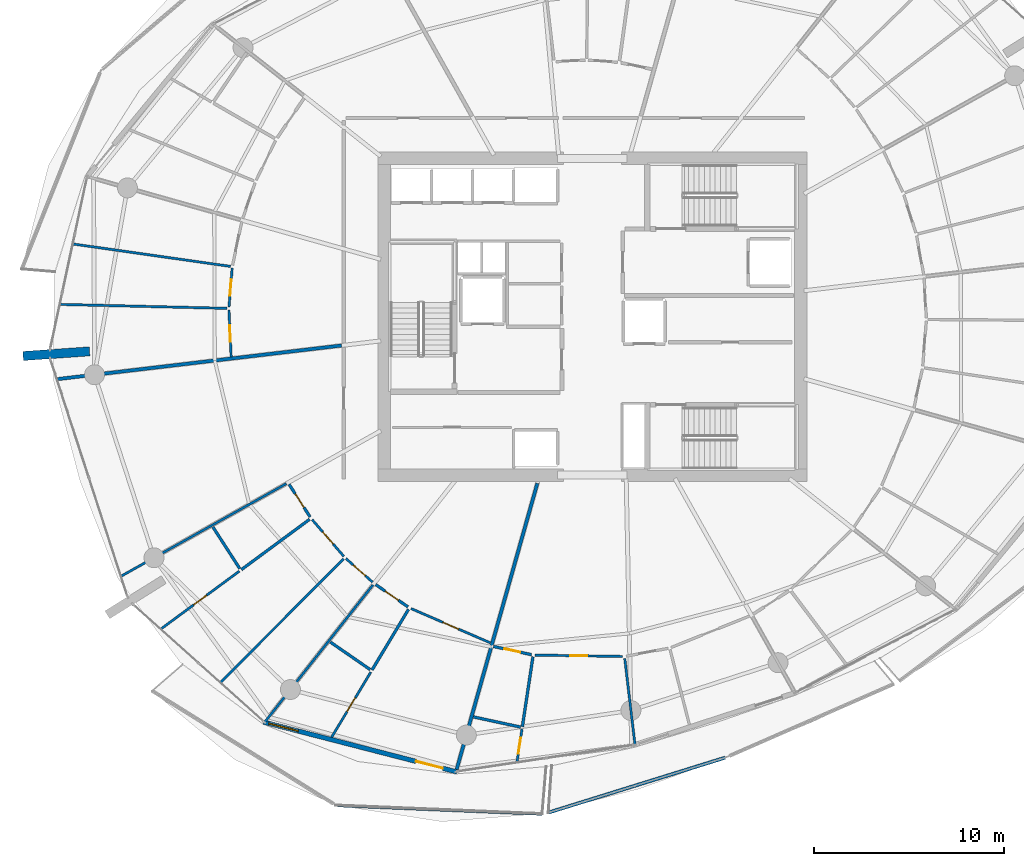
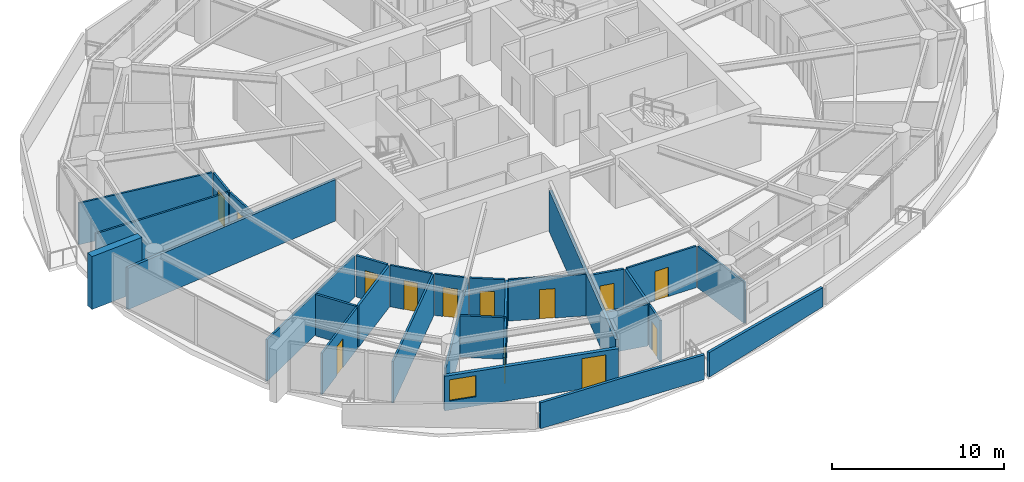
# One storey, part 11 of 21: 30 walls, 13 doors, 1 window, 14 openings.
"""IFC4 building model written with IfcOpenShell, lengths in metres."""

from ifc_helpers import new_model, si_unit, direction, frame, frame_2d, origin, place, context, subcontext, project, spatial, polyline, rectangle, outline, extrude, material, layer, layer_set, type_object, element, fill, save


model = new_model("IFC4")

# Units and contexts
model_context = context("Model", 3, precision=1e-05, world=origin(), true_north=direction((0.0, 1.0)))
body_context = subcontext(model_context, "Body", "Model", "MODEL_VIEW")
ifc_project = project(units=[si_unit("LENGTHUNIT", "METRE"), si_unit("AREAUNIT", "SQUARE_METRE"), si_unit("VOLUMEUNIT", "CUBIC_METRE"), si_unit("PLANEANGLEUNIT", "RADIAN"), si_unit("MASSUNIT", "GRAM", prefix="KILO")], contexts=[model_context])

# Site, building, storey
site_placement = place(None, origin())
site = spatial("IfcSite", under=ifc_project, at=site_placement, CompositionType="ELEMENT")
building_placement = place(site_placement, origin())
building = spatial("IfcBuilding", under=site, at=building_placement, Name="Kazma Halo Residences", CompositionType="ELEMENT")
storey_placement = place(building_placement, frame((0.0, 0.0, 176.550048828125)))
storey = spatial("IfcBuildingStorey", under=building, at=storey_placement, Name="L44", CompositionType="ELEMENT", Elevation=176.550048828125)

# Walls
ifc_material_1 = material(Name="White Concrete C50/60 Balustrade", Category="concrete")
ifc_layer_1 = layer(ifc_material_1, 0.179931640625)
ifc_layer_set_1 = layer_set([ifc_layer_1], Name="White Concrete C50/60 Balustrade")
wall_type_1 = type_object("IfcWallType", Name="WL-BAL-WAVE-180", PredefinedType="PARAPET", material=ifc_layer_set_1)
wall_1_placement = place(storey_placement, frame((35.03564453125, 16.315673828125, 0.0), z_axis=(0.0, 0.0, 1.0), x_axis=(0.999138885182, -0.041490819675, 0.0)))
element("IfcWall", 1, at=wall_1_placement, inside=storey, type_object=wall_type_1, Name="L44 white wave balustrade wall SW.2", PredefinedType="PARAPET", context=body_context, shape_type="SweptSolid", body=[
    extrude(outline(polyline([(0.0, 0.0), (10.75634765625, 0.0), (10.756591796875, 1.755859375), (5.37841796875, 1.85302734375), (0.0, 1.83203125), (0.0, 0.0)])), frame((0.0, 0.08984375, 0.0), z_axis=(0.0, -1.0, 0.0), x_axis=(1.0, 0.0, 0.0)), (0.0, 0.0, 1.0), 0.179931640625),
])
wall_2_placement = place(storey_placement, frame((46.1083984375, 15.928955078125, 0.0), z_axis=(0.0, 0.0, 1.0), x_axis=(0.954909554677, 0.296896854793, 0.0)))
element("IfcWall", 2, at=wall_2_placement, inside=storey, type_object=wall_type_1, Name="L44 white wave balustrade wall SSE.1", PredefinedType="PARAPET", context=body_context, shape_type="SweptSolid", body=[
    extrude(outline(polyline([(0.0, 0.0), (9.736083984375, 0.0), (9.736328125, 1.347900390625), (4.8681640625, 1.56201171875), (0.0, 1.7470703125), (0.0, 0.0)])), frame((0.0, 0.08984375, 0.0), z_axis=(0.0, -1.0, 0.0), x_axis=(1.0, 0.0, 0.0)), (0.0, 0.0, 1.0), 0.179931640625),
])
ifc_material_2 = material(Name="Pale Concrete C60/75", Category="concrete")
ifc_layer_2 = layer(ifc_material_2, 0.47998046875)
ifc_layer_set_2 = layer_set([ifc_layer_2], Name="Pale Concrete C60/75")
wall_type_2 = type_object("IfcWallType", Name="WL-BLADE-480", PredefinedType="SOLIDWALL", material=ifc_layer_set_2)
wall_3_placement = place(storey_placement, frame((21.9873046875, 40.180908203125, 0.0), z_axis=(0.0, 0.0, 1.0), x_axis=(-0.997568676264, -0.069690287244, 0.0)))
element("IfcWall", 3, at=wall_3_placement, inside=storey, type_object=wall_type_2, Name="L44 pale concrete structural blade fin wall BW-02", PredefinedType="SOLIDWALL", context=body_context, shape_type="SweptSolid", body=[
    extrude(rectangle(XDim=3.499755859375, YDim=0.47998046875, at=frame_2d((1.75, 0.0))), origin(), (0.0, 0.0, 1.0), 3.75),
])
ifc_material_3 = material(Name="Acoustic Twin-Stud Gypsum")
ifc_layer_3 = layer(ifc_material_3, 0.179931640625)
ifc_layer_set_3 = layer_set([ifc_layer_3], Name="Acoustic Twin-Stud Gypsum")
wall_type_3 = type_object("IfcWallType", Name="WL-DEM-180", PredefinedType="PARTITIONING", material=ifc_layer_set_3)
wall_4_placement = place(storey_placement, frame((35.24072265625, 40.489990234375, 0.0), z_axis=(0.0, 0.0, 1.0), x_axis=(-0.993066731786, -0.117551972417, 0.0)))
element("IfcWall", 4, at=wall_4_placement, inside=storey, type_object=wall_type_3, Name="L44 apartment demising radial wall 07", PredefinedType="PARTITIONING", context=body_context, shape_type="SweptSolid", body=[
    extrude(rectangle(XDim=15.046875, YDim=0.179931640625, at=frame_2d((7.5234375, 0.0))), origin(), (0.0, 0.0, 1.0), 2.93994140625),
])
wall_5_placement = place(storey_placement, frame((45.530517578125, 33.244140625, 0.0), z_axis=(0.0, 0.0, 1.0), x_axis=(-0.271437162306, -0.962456163635, 0.0)))
element("IfcWall", 5, at=wall_5_placement, inside=storey, type_object=wall_type_3, Name="L44 apartment demising radial wall 10", PredefinedType="PARTITIONING", context=body_context, shape_type="SweptSolid", body=[
    extrude(rectangle(XDim=15.629638671875, YDim=0.179931640625, at=frame_2d((7.81494140625, 0.0))), origin(), (0.0, 0.0, 1.0), 2.93994140625),
])

# Wall, openings, door, window
ifc_material_4 = material(Name="Insulated Pale-Metal Composite Wall")
ifc_layer_4 = layer(ifc_material_4, 0.239990234375)
ifc_layer_set_4 = layer_set([ifc_layer_4], Name="Insulated Pale-Metal Composite Wall")
wall_type_4 = type_object("IfcWallType", Name="WL-EXT-HOST-240", PredefinedType="SOLIDWALL", material=ifc_layer_set_4)
wall_6_placement = place(storey_placement, frame((31.139892578125, 20.68701171875, 0.0), z_axis=(0.0, 0.0, 1.0), x_axis=(0.968374028006, -0.249502989727, 0.0)))
wall_6 = element("IfcWall", 6, at=wall_6_placement, inside=storey, type_object=wall_type_4, Name="L44 exterior terrace-access wall B10", PredefinedType="SOLIDWALL", context=body_context, shape_type="SweptSolid", body=[
    extrude(rectangle(XDim=10.494384765625, YDim=0.239990234375, at=frame_2d((5.2470703125, 0.0))), origin(), (0.0, 0.0, 1.0), 2.449951171875),
])
opening_1_placement = place(wall_6_placement, frame((8.2744140625, 0.0, 0.0)))
opening_1 = element("IfcOpeningElement", 7, at=opening_1_placement, cuts=wall_6, Name="Opening DTR-1600", PredefinedType="OPENING", context=body_context, shape_type="SweptSolid", body=[
    extrude(rectangle(XDim=1.449951171875, YDim=2.14990234375, at=frame_2d((0.72509765625, 1.074951171875))), frame((0.0, 0.1298828125, 0.0), z_axis=(0.0, -1.0, 0.0), x_axis=(1.0, 0.0, 0.0)), (0.0, 0.0, 1.0), 0.260009765625),
])
opening_2_placement = place(wall_6_placement, frame((0.280029296875, 0.0, 0.64990234375)))
opening_2 = element("IfcOpeningElement", 8, at=opening_2_placement, cuts=wall_6, Name="Opening W-1800", PredefinedType="OPENING", context=body_context, shape_type="SweptSolid", body=[
    extrude(rectangle(XDim=1.60009765625, YDim=1.5, at=frame_2d((0.800048828125, 0.75))), frame((0.0, 0.1298828125, 0.0), z_axis=(0.0, -1.0, 0.0), x_axis=(1.0, 0.0, 0.0)), (0.0, 0.0, 1.0), 0.260009765625),
])
ifc_material_5 = material(Name="Aluminium AW-6063 T6 Double-Glazed Terrace Door", Category="aluminium")
door_type_1 = type_object("IfcDoorType", Name="DR-EXT-TERR-1600", OperationType="NOTDEFINED", PredefinedType="DOOR", material=ifc_material_5)
door_1_placement = place(opening_1_placement, origin())
door_1 = element("IfcDoor", 9, at=door_1_placement, inside=storey, type_object=door_type_1, Name="L44 B10 balcony terrace door", OperationType="DOUBLE_DOOR_SLIDING", OverallHeight=2.14990234375, OverallWidth=1.449951171875, PredefinedType="DOOR", context=body_context, shape_type="SweptSolid", body=[
    extrude(rectangle(XDim=1.449951171875, YDim=2.14990234375, at=frame_2d((0.72509765625, 1.074951171875))), frame((0.0, 0.02490234375, 0.0), z_axis=(0.0, -1.0, 0.0), x_axis=(1.0, 0.0, 0.0)), (0.0, 0.0, 1.0), 0.050048828125),
])
fill(opening_1, door_1)
ifc_material_6 = material(Name="Clear Triple-Silver Low-E Glass in Aluminium AW-6063 T6 Frame", Category="aluminium")
window_type = type_object("IfcWindowType", Name="WIN-RES-1800", PartitioningType="DOUBLE_PANEL_VERTICAL", PredefinedType="WINDOW", material=ifc_material_6)
window_placement = place(opening_2_placement, origin())
window = element("IfcWindow", 10, at=window_placement, inside=storey, type_object=window_type, Name="L44 B10 apartment window", OverallHeight=1.5, OverallWidth=1.60009765625, PartitioningType="SINGLE_PANEL", PredefinedType="WINDOW", context=body_context, shape_type="SweptSolid", body=[
    extrude(rectangle(XDim=1.60009765625, YDim=1.5, at=frame_2d((0.800048828125, 0.75))), frame((0.0, 0.030029296875, 0.0), z_axis=(0.0, -1.0, 0.0), x_axis=(1.0, 0.0, 0.0)), (0.0, 0.0, 1.0), 0.06005859375),
])
fill(opening_2, window)

# Walls
ifc_material_7 = material(Name="Gypsum Plasterboard Partition")
ifc_layer_5 = layer(ifc_material_7, 0.125)
ifc_layer_set_5 = layer_set([ifc_layer_5], Name="Gypsum Plasterboard Partition")
wall_type_5 = type_object("IfcWallType", Name="WL-PART-125", PredefinedType="PARTITIONING", material=ifc_layer_set_5)
wall_7_placement = place(storey_placement, frame((29.4033203125, 44.646728515625, 0.0), z_axis=(0.0, 0.0, 1.0), x_axis=(-0.990024722322, 0.140893751424, 0.0)))
element("IfcWall", 11, at=wall_7_placement, inside=storey, type_object=wall_type_5, Name="L44 Apartment 2 bay wall 1 6", PredefinedType="PARTITIONING", context=body_context, shape_type="SweptSolid", body=[
    extrude(rectangle(XDim=8.357177734375, YDim=0.125, at=frame_2d((4.1787109375, 0.0))), origin(), (0.0, 0.0, 1.0), 2.93994140625),
])
wall_8_placement = place(storey_placement, frame((29.22119140625, 42.4423828125, 0.0), z_axis=(0.0, 0.0, 1.0), x_axis=(-0.99972167958, 0.0235915955, 0.0)))
element("IfcWall", 12, at=wall_8_placement, inside=storey, type_object=wall_type_5, Name="L44 Apartment 2 bay wall 2 6", PredefinedType="PARTITIONING", context=body_context, shape_type="SweptSolid", body=[
    extrude(rectangle(XDim=8.775634765625, YDim=0.125, at=frame_2d((4.3876953125, 0.0))), origin(), (0.0, 0.0, 1.0), 2.93994140625),
])

# Wall, opening, door
wall_9_placement = place(storey_placement, frame((29.48583984375, 44.55419921875, 0.0), z_axis=(0.0, 0.0, 1.0), x_axis=(-0.082293137212, -0.99660816752, 0.0)))
wall_9 = element("IfcWall", 13, at=wall_9_placement, inside=storey, type_object=wall_type_5, Name="L44 Apartment 2 Secondary Study hall wall", PredefinedType="PARTITIONING", context=body_context, shape_type="SweptSolid", body=[
    extrude(rectangle(XDim=2.041015625, YDim=0.125, at=frame_2d((1.0205078125, 0.0))), origin(), (0.0, 0.0, 1.0), 2.93994140625),
])
opening_3_placement = place(wall_9_placement, frame((0.595703125, 0.0, 0.0)))
opening_3 = element("IfcOpeningElement", 14, at=opening_3_placement, cuts=wall_9, Name="Opening DB-900", PredefinedType="OPENING", context=body_context, shape_type="SweptSolid", body=[
    extrude(rectangle(XDim=0.85009765625, YDim=2.06005859375, at=frame_2d((0.425048828125, 1.030029296875))), frame((0.0, 0.072509765625, 0.0), z_axis=(0.0, -1.0, 0.0), x_axis=(1.0, 0.0, 0.0)), (0.0, 0.0, 1.0), 0.14501953125),
])
ifc_material_8 = material(Name="Moisture-Sealed Timber Leaf", Category="wood")
door_type_2 = type_object("IfcDoorType", Name="DR-BTH-900", OperationType="NOTDEFINED", PredefinedType="DOOR", material=ifc_material_8)
door_2_placement = place(opening_3_placement, origin())
door_2 = element("IfcDoor", 15, at=door_2_placement, inside=storey, type_object=door_type_2, Name="L44 Apartment 2 Secondary Study door", OperationType="SINGLE_SWING_LEFT", OverallHeight=2.06005859375, OverallWidth=0.85009765625, PredefinedType="DOOR", context=body_context, shape_type="SweptSolid", body=[
    extrude(rectangle(XDim=0.85009765625, YDim=2.06005859375, at=frame_2d((0.425048828125, 1.030029296875))), frame((0.0, 0.02490234375, 0.0), z_axis=(0.0, -1.0, 0.0), x_axis=(1.0, 0.0, 0.0)), (0.0, 0.0, 1.0), 0.050048828125),
])
fill(opening_3, door_2)

wall_10_placement = place(storey_placement, frame((29.31494140625, 42.360595703125, 0.0), z_axis=(0.0, 0.0, 1.0), x_axis=(0.047144289587, -0.998888089808, 0.0)))
wall_10 = element("IfcWall", 16, at=wall_10_placement, inside=storey, type_object=wall_type_5, Name="L44 Apartment 2 East Bedroom hall wall", PredefinedType="PARTITIONING", context=body_context, shape_type="SweptSolid", body=[
    extrude(rectangle(XDim=2.48046875, YDim=0.125, at=frame_2d((1.240234375, 0.0))), origin(), (0.0, 0.0, 1.0), 2.93994140625),
])
opening_4_placement = place(wall_10_placement, frame((0.815185546875, 0.0, 0.0)))
opening_4 = element("IfcOpeningElement", 17, at=opening_4_placement, cuts=wall_10, Name="Opening DB-900", PredefinedType="OPENING", context=body_context, shape_type="SweptSolid", body=[
    extrude(rectangle(XDim=0.85009765625, YDim=2.06005859375, at=frame_2d((0.425048828125, 1.030029296875))), frame((0.0, 0.072509765625, 0.0), z_axis=(0.0, -1.0, 0.0), x_axis=(1.0, 0.0, 0.0)), (0.0, 0.0, 1.0), 0.14501953125),
])
door_3_placement = place(opening_4_placement, origin())
door_3 = element("IfcDoor", 18, at=door_3_placement, inside=storey, type_object=door_type_2, Name="L44 Apartment 2 East Bedroom door", OperationType="SINGLE_SWING_RIGHT", OverallHeight=2.06005859375, OverallWidth=0.85009765625, PredefinedType="DOOR", context=body_context, shape_type="SweptSolid", body=[
    extrude(rectangle(XDim=0.85009765625, YDim=2.06005859375, at=frame_2d((0.425048828125, 1.030029296875))), frame((0.0, 0.02490234375, 0.0), z_axis=(0.0, -1.0, 0.0), x_axis=(1.0, 0.0, 0.0)), (0.0, 0.0, 1.0), 0.050048828125),
])
fill(opening_4, door_3)

# Wall
wall_11_placement = place(storey_placement, frame((32.33447265625, 33.226806640625, 0.0), z_axis=(0.0, 0.0, 1.0), x_axis=(-0.872500152392, -0.488613839424, 0.0)))
element("IfcWall", 19, at=wall_11_placement, inside=storey, type_object=wall_type_5, Name="L44 Apartment 3 radial partition 8", PredefinedType="PARTITIONING", context=body_context, shape_type="SweptSolid", body=[
    extrude(rectangle(XDim=9.940185546875, YDim=0.125, at=frame_2d((4.97021484375, 0.0))), origin(), (0.0, 0.0, 1.0), 2.93994140625),
])

# Wall, opening, door
wall_12_placement = place(storey_placement, frame((29.86279296875, 28.625732421875, 0.0), z_axis=(0.0, 0.0, 1.0), x_axis=(-0.804842237675, -0.593488814094, 0.0)))
wall_12 = element("IfcWall", 20, at=wall_12_placement, inside=storey, type_object=wall_type_5, Name="L44 Apartment 3 Household Store Room partition wall", PredefinedType="PARTITIONING", context=body_context, shape_type="SweptSolid", body=[
    extrude(rectangle(XDim=5.114990234375, YDim=0.125, at=frame_2d((2.5576171875, 0.0))), origin(), (0.0, 0.0, 1.0), 2.93994140625),
])
opening_5_placement = place(wall_12_placement, frame((2.132568359375, 0.0, 0.0)))
opening_5 = element("IfcOpeningElement", 21, at=opening_5_placement, cuts=wall_12, Name="Opening DB-900", PredefinedType="OPENING", context=body_context, shape_type="SweptSolid", body=[
    extrude(rectangle(XDim=0.85009765625, YDim=2.06005859375, at=frame_2d((0.425048828125, 1.030029296875))), frame((0.0, 0.072509765625, 0.0), z_axis=(0.0, -1.0, 0.0), x_axis=(1.0, 0.0, 0.0)), (0.0, 0.0, 1.0), 0.14501953125),
])
door_4_placement = place(opening_5_placement, origin())
door_4 = element("IfcDoor", 22, at=door_4_placement, inside=storey, type_object=door_type_2, Name="L44 Apartment 3 Household Store Room door", OperationType="SINGLE_SWING_RIGHT", OverallHeight=2.06005859375, OverallWidth=0.85009765625, PredefinedType="DOOR", context=body_context, shape_type="SweptSolid", body=[
    extrude(rectangle(XDim=0.85009765625, YDim=2.06005859375, at=frame_2d((0.425048828125, 1.030029296875))), frame((0.0, 0.02490234375, 0.0), z_axis=(0.0, -1.0, 0.0), x_axis=(1.0, 0.0, 0.0)), (0.0, 0.0, 1.0), 0.050048828125),
])
fill(opening_5, door_4)

# Wall
wall_13_placement = place(storey_placement, frame((35.344482421875, 29.27734375, 0.0), z_axis=(0.0, 0.0, 1.0), x_axis=(-0.705226489462, -0.708982086206, 0.0)))
element("IfcWall", 23, at=wall_13_placement, inside=storey, type_object=wall_type_5, Name="L44 Apartment 3 suite divider 8", PredefinedType="PARTITIONING", context=body_context, shape_type="SweptSolid", body=[
    extrude(rectangle(XDim=9.166015625, YDim=0.125, at=frame_2d((4.5830078125, 0.0))), origin(), (0.0, 0.0, 1.0), 2.93994140625),
])

# Wall, opening, door
wall_14_placement = place(storey_placement, frame((33.688232421875, 31.335205078125, 0.0), z_axis=(0.0, 0.0, 1.0), x_axis=(0.653119308398, -0.757255022431, 0.0)))
wall_14 = element("IfcWall", 24, at=wall_14_placement, inside=storey, type_object=wall_type_5, Name="L44 Apartment 3 Gourmet Kitchen hall wall", PredefinedType="PARTITIONING", context=body_context, shape_type="SweptSolid", body=[
    extrude(rectangle(XDim=2.55322265625, YDim=0.125, at=frame_2d((1.276611328125, 0.0))), origin(), (0.0, 0.0, 1.0), 2.93994140625),
])
opening_6_placement = place(wall_14_placement, frame((0.8515625, 0.0, 0.0)))
opening_6 = element("IfcOpeningElement", 25, at=opening_6_placement, cuts=wall_14, Name="Opening DB-900", PredefinedType="OPENING", context=body_context, shape_type="SweptSolid", body=[
    extrude(rectangle(XDim=0.85009765625, YDim=2.06005859375, at=frame_2d((0.425048828125, 1.030029296875))), frame((0.0, 0.072509765625, 0.0), z_axis=(0.0, -1.0, 0.0), x_axis=(1.0, 0.0, 0.0)), (0.0, 0.0, 1.0), 0.14501953125),
])
door_5_placement = place(opening_6_placement, origin())
door_5 = element("IfcDoor", 26, at=door_5_placement, inside=storey, type_object=door_type_2, Name="L44 Apartment 3 Gourmet Kitchen door", OperationType="SINGLE_SWING_LEFT", OverallHeight=2.06005859375, OverallWidth=0.85009765625, PredefinedType="DOOR", context=body_context, shape_type="SweptSolid", body=[
    extrude(rectangle(XDim=0.85009765625, YDim=2.06005859375, at=frame_2d((0.425048828125, 1.030029296875))), frame((0.0, 0.02490234375, 0.0), z_axis=(0.0, -1.0, 0.0), x_axis=(1.0, 0.0, 0.0)), (0.0, 0.0, 1.0), 0.050048828125),
])
fill(opening_6, door_5)

wall_15_placement = place(storey_placement, frame((35.468017578125, 29.2880859375, 0.0), z_axis=(0.0, 0.0, 1.0), x_axis=(0.748399816021, -0.663247853656, 0.0)))
wall_15 = element("IfcWall", 27, at=wall_15_placement, inside=storey, type_object=wall_type_5, Name="L44 Apartment 3 Primary Bedroom hall wall", PredefinedType="PARTITIONING", context=body_context, shape_type="SweptSolid", body=[
    extrude(rectangle(XDim=1.875, YDim=0.125, at=frame_2d((0.9375, 0.0))), origin(), (0.0, 0.0, 1.0), 2.93994140625),
])
opening_7_placement = place(wall_15_placement, frame((0.512451171875, 0.0, 0.0)))
opening_7 = element("IfcOpeningElement", 28, at=opening_7_placement, cuts=wall_15, Name="Opening DB-900", PredefinedType="OPENING", context=body_context, shape_type="SweptSolid", body=[
    extrude(rectangle(XDim=0.85009765625, YDim=2.06005859375, at=frame_2d((0.425048828125, 1.030029296875))), frame((0.0, 0.072509765625, 0.0), z_axis=(0.0, -1.0, 0.0), x_axis=(1.0, 0.0, 0.0)), (0.0, 0.0, 1.0), 0.14501953125),
])
door_6_placement = place(opening_7_placement, origin())
door_6 = element("IfcDoor", 29, at=door_6_placement, inside=storey, type_object=door_type_2, Name="L44 Apartment 3 Primary Bedroom door", OperationType="SINGLE_SWING_RIGHT", OverallHeight=2.06005859375, OverallWidth=0.85009765625, PredefinedType="DOOR", context=body_context, shape_type="SweptSolid", body=[
    extrude(rectangle(XDim=0.85009765625, YDim=2.06005859375, at=frame_2d((0.425048828125, 1.030029296875))), frame((0.0, 0.02490234375, 0.0), z_axis=(0.0, -1.0, 0.0), x_axis=(1.0, 0.0, 0.0)), (0.0, 0.0, 1.0), 0.050048828125),
])
fill(opening_7, door_6)

# Wall
wall_16_placement = place(storey_placement, frame((36.88427734375, 27.899658203125, 0.0), z_axis=(0.0, 0.0, 1.0), x_axis=(-0.619094580594, -0.785316433216, 0.0)))
element("IfcWall", 30, at=wall_16_placement, inside=storey, type_object=wall_type_5, Name="L44 Apartment 3 radial partition 9", PredefinedType="PARTITIONING", context=body_context, shape_type="SweptSolid", body=[
    extrude(rectangle(XDim=9.17529296875, YDim=0.125, at=frame_2d((4.587646484375, 0.0))), origin(), (0.0, 0.0, 1.0), 2.93994140625),
])

# Wall, opening, door
wall_17_placement = place(storey_placement, frame((36.773193359375, 23.319091796875, 0.0), z_axis=(0.0, 0.0, 1.0), x_axis=(-0.515150775859, -0.857099573056, 0.0)))
wall_17 = element("IfcWall", 31, at=wall_17_placement, inside=storey, type_object=wall_type_5, Name="L44 Apartment 3 Secondary Walk-In Wardrobe partition wall", PredefinedType="PARTITIONING", context=body_context, shape_type="SweptSolid", body=[
    extrude(rectangle(XDim=4.000244140625, YDim=0.125, at=frame_2d((2.0, 0.0))), origin(), (0.0, 0.0, 1.0), 2.93994140625),
])
opening_8_placement = place(wall_17_placement, frame((1.5751953125, 0.0, 0.0)))
opening_8 = element("IfcOpeningElement", 32, at=opening_8_placement, cuts=wall_17, Name="Opening DB-900", PredefinedType="OPENING", context=body_context, shape_type="SweptSolid", body=[
    extrude(rectangle(XDim=0.85009765625, YDim=2.06005859375, at=frame_2d((0.425048828125, 1.030029296875))), frame((0.0, 0.072509765625, 0.0), z_axis=(0.0, -1.0, 0.0), x_axis=(1.0, 0.0, 0.0)), (0.0, 0.0, 1.0), 0.14501953125),
])
door_7_placement = place(opening_8_placement, origin())
door_7 = element("IfcDoor", 33, at=door_7_placement, inside=storey, type_object=door_type_2, Name="L44 Apartment 3 Secondary Walk-In Wardrobe door", OperationType="SINGLE_SWING_LEFT", OverallHeight=2.06005859375, OverallWidth=0.85009765625, PredefinedType="DOOR", context=body_context, shape_type="SweptSolid", body=[
    extrude(rectangle(XDim=0.85009765625, YDim=2.06005859375, at=frame_2d((0.425048828125, 1.030029296875))), frame((0.0, 0.02490234375, 0.0), z_axis=(0.0, -1.0, 0.0), x_axis=(1.0, 0.0, 0.0)), (0.0, 0.0, 1.0), 0.050048828125),
])
fill(opening_8, door_7)

wall_18_placement = place(storey_placement, frame((38.88525390625, 26.660400390625, 0.0), z_axis=(0.0, 0.0, 1.0), x_axis=(0.91789982616, -0.396812183705, 0.0)))
wall_18 = element("IfcWall", 34, at=wall_18_placement, inside=storey, type_object=wall_type_5, Name="L44 Apartment 3 East Master Bedroom hall wall", PredefinedType="PARTITIONING", context=body_context, shape_type="SweptSolid", body=[
    extrude(rectangle(XDim=4.5498046875, YDim=0.125, at=frame_2d((2.27490234375, 0.0))), origin(), (0.0, 0.0, 1.0), 2.93994140625),
])
opening_9_placement = place(wall_18_placement, frame((1.824951171875, 0.0, 0.0)))
opening_9 = element("IfcOpeningElement", 35, at=opening_9_placement, cuts=wall_18, Name="Opening DI-950", PredefinedType="OPENING", context=body_context, shape_type="SweptSolid", body=[
    extrude(rectangle(XDim=0.89990234375, YDim=2.080078125, at=frame_2d((0.449951171875, 1.0400390625))), frame((0.0, 0.072509765625, 0.0), z_axis=(0.0, -1.0, 0.0), x_axis=(1.0, 0.0, 0.0)), (0.0, 0.0, 1.0), 0.14501953125),
])
ifc_material_9 = material(Name="Timber Veneer Flush Leaf", Category="wood")
door_type_3 = type_object("IfcDoorType", Name="DR-INT-950", OperationType="NOTDEFINED", PredefinedType="DOOR", material=ifc_material_9)
door_8_placement = place(opening_9_placement, origin())
door_8 = element("IfcDoor", 36, at=door_8_placement, inside=storey, type_object=door_type_3, Name="L44 Apartment 3 East Master Bedroom door", OperationType="SINGLE_SWING_RIGHT", OverallHeight=2.080078125, OverallWidth=0.89990234375, PredefinedType="DOOR", context=body_context, shape_type="SweptSolid", body=[
    extrude(rectangle(XDim=0.89990234375, YDim=2.080078125, at=frame_2d((0.449951171875, 1.0400390625))), frame((0.0, 0.02490234375, 0.0), z_axis=(0.0, -1.0, 0.0), x_axis=(1.0, 0.0, 0.0)), (0.0, 0.0, 1.0), 0.050048828125),
])
fill(opening_9, door_8)

wall_19_placement = place(storey_placement, frame((44.722900390625, 20.319091796875, 0.0), z_axis=(0.0, 0.0, 1.0), x_axis=(-0.14945844671, -0.988768007526, 0.0)))
wall_19 = element("IfcWall", 37, at=wall_19_placement, inside=storey, type_object=wall_type_5, Name="L44 Apartment 4 Utility Laundry Room partition wall", PredefinedType="PARTITIONING", context=body_context, shape_type="SweptSolid", body=[
    extrude(rectangle(XDim=1.751220703125, YDim=0.125, at=frame_2d((0.87548828125, 0.0))), origin(), (0.0, 0.0, 1.0), 2.93994140625),
])
opening_10_placement = place(wall_19_placement, frame((0.45068359375, 0.0, 0.0)))
opening_10 = element("IfcOpeningElement", 38, at=opening_10_placement, cuts=wall_19, Name="Opening DB-900", PredefinedType="OPENING", context=body_context, shape_type="SweptSolid", body=[
    extrude(rectangle(XDim=0.85009765625, YDim=2.06005859375, at=frame_2d((0.425048828125, 1.030029296875))), frame((0.0, 0.072509765625, 0.0), z_axis=(0.0, -1.0, 0.0), x_axis=(1.0, 0.0, 0.0)), (0.0, 0.0, 1.0), 0.14501953125),
])
door_9_placement = place(opening_10_placement, origin())
door_9 = element("IfcDoor", 39, at=door_9_placement, inside=storey, type_object=door_type_2, Name="L44 Apartment 4 Utility Laundry Room door", OperationType="SINGLE_SWING_RIGHT", OverallHeight=2.06005859375, OverallWidth=0.85009765625, PredefinedType="DOOR", context=body_context, shape_type="SweptSolid", body=[
    extrude(rectangle(XDim=0.85009765625, YDim=2.06005859375, at=frame_2d((0.425048828125, 1.030029296875))), frame((0.0, 0.02490234375, 0.0), z_axis=(0.0, -1.0, 0.0), x_axis=(1.0, 0.0, 0.0)), (0.0, 0.0, 1.0), 0.050048828125),
])
fill(opening_10, door_9)

wall_20_placement = place(storey_placement, frame((45.40185546875, 24.213623046875, 0.0), z_axis=(0.0, 0.0, 1.0), x_axis=(0.999870557478, -0.016089384368, 0.0)))
wall_20 = element("IfcWall", 40, at=wall_20_placement, inside=storey, type_object=wall_type_5, Name="L44 Apartment 4 Gourmet Kitchen hall wall", PredefinedType="PARTITIONING", context=body_context, shape_type="SweptSolid", body=[
    extrude(rectangle(XDim=4.61279296875, YDim=0.125, at=frame_2d((2.306396484375, 0.0))), origin(), (0.0, 0.0, 1.0), 2.93994140625),
])
opening_11_placement = place(wall_20_placement, frame((1.8564453125, 0.0, 0.0)))
opening_11 = element("IfcOpeningElement", 41, at=opening_11_placement, cuts=wall_20, Name="Opening DI-950", PredefinedType="OPENING", context=body_context, shape_type="SweptSolid", body=[
    extrude(rectangle(XDim=0.89990234375, YDim=2.080078125, at=frame_2d((0.449951171875, 1.0400390625))), frame((0.0, 0.072509765625, 0.0), z_axis=(0.0, -1.0, 0.0), x_axis=(1.0, 0.0, 0.0)), (0.0, 0.0, 1.0), 0.14501953125),
])
door_10_placement = place(opening_11_placement, origin())
door_10 = element("IfcDoor", 42, at=door_10_placement, inside=storey, type_object=door_type_3, Name="L44 Apartment 4 Gourmet Kitchen door", OperationType="SINGLE_SWING_LEFT", OverallHeight=2.080078125, OverallWidth=0.89990234375, PredefinedType="DOOR", context=body_context, shape_type="SweptSolid", body=[
    extrude(rectangle(XDim=0.89990234375, YDim=2.080078125, at=frame_2d((0.449951171875, 1.0400390625))), frame((0.0, 0.02490234375, 0.0), z_axis=(0.0, -1.0, 0.0), x_axis=(1.0, 0.0, 0.0)), (0.0, 0.0, 1.0), 0.050048828125),
])
fill(opening_11, door_10)

# Wall
wall_21_placement = place(storey_placement, frame((50.1259765625, 24.038330078125, 0.0), z_axis=(0.0, 0.0, 1.0), x_axis=(0.117498349672, -0.993073077787, 0.0)))
element("IfcWall", 43, at=wall_21_placement, inside=storey, type_object=wall_type_5, Name="L44 Apartment 4 radial partition 11", PredefinedType="PARTITIONING", context=body_context, shape_type="SweptSolid", body=[
    extrude(rectangle(XDim=4.54833984375, YDim=0.125, at=frame_2d((2.274169921875, 0.0))), origin(), (0.0, 0.0, 1.0), 2.93994140625),
])

# Wall, opening, door
ifc_material_10 = material(Name="Moisture-Resistant Gypsum")
ifc_layer_6 = layer(ifc_material_10, 0.14990234375)
ifc_layer_set_6 = layer_set([ifc_layer_6], Name="Moisture-Resistant Gypsum")
wall_type_6 = type_object("IfcWallType", Name="WL-WET-150", PredefinedType="PARTITIONING", material=ifc_layer_set_6)
wall_22_placement = place(storey_placement, frame((32.475830078125, 33.191650390625, 0.0), z_axis=(0.0, 0.0, 1.0), x_axis=(0.542143239932, -0.840286086637, 0.0)))
wall_22 = element("IfcWall", 44, at=wall_22_placement, inside=storey, type_object=wall_type_6, Name="L44 Apartment 3 Guest Bathroom hall wall", PredefinedType="PARTITIONING", context=body_context, shape_type="SweptSolid", body=[
    extrude(rectangle(XDim=2.0380859375, YDim=0.14990234375, at=frame_2d((1.01904296875, 0.0))), origin(), (0.0, 0.0, 1.0), 2.93994140625),
])
opening_12_placement = place(wall_22_placement, frame((0.593994140625, 0.0, 0.0)))
opening_12 = element("IfcOpeningElement", 45, at=opening_12_placement, cuts=wall_22, Name="Opening DB-900", PredefinedType="OPENING", context=body_context, shape_type="SweptSolid", body=[
    extrude(rectangle(XDim=0.85009765625, YDim=2.06005859375, at=frame_2d((0.425048828125, 1.030029296875))), frame((0.0, 0.0849609375, 0.0), z_axis=(0.0, -1.0, 0.0), x_axis=(1.0, 0.0, 0.0)), (0.0, 0.0, 1.0), 0.169921875),
])
door_11_placement = place(opening_12_placement, origin())
door_11 = element("IfcDoor", 46, at=door_11_placement, inside=storey, type_object=door_type_2, Name="L44 Apartment 3 Guest Bathroom door", OperationType="SINGLE_SWING_LEFT", OverallHeight=2.06005859375, OverallWidth=0.85009765625, PredefinedType="DOOR", context=body_context, shape_type="SweptSolid", body=[
    extrude(rectangle(XDim=0.85009765625, YDim=2.06005859375, at=frame_2d((0.425048828125, 1.030029296875))), frame((0.0, 0.02490234375, 0.0), z_axis=(0.0, -1.0, 0.0), x_axis=(1.0, 0.0, 0.0)), (0.0, 0.0, 1.0), 0.050048828125),
])
fill(opening_12, door_11)

# Walls
wall_23_placement = place(storey_placement, frame((28.470947265625, 30.948974609375, 0.0), z_axis=(0.0, 0.0, 1.0), x_axis=(0.542080018781, -0.840326872853, 0.0)))
element("IfcWall", 47, at=wall_23_placement, inside=storey, type_object=wall_type_6, Name="L44 Apartment 3 Guest Bathroom back wall", PredefinedType="PARTITIONING", context=body_context, shape_type="SweptSolid", body=[
    extrude(rectangle(XDim=2.611328125, YDim=0.14990234375, at=frame_2d((1.3056640625, 0.0))), origin(), (0.0, 0.0, 1.0), 2.93994140625),
])
wall_24_placement = place(storey_placement, frame((33.55712890625, 31.349853515625, 0.0), z_axis=(0.0, 0.0, 1.0), x_axis=(-0.804841149106, -0.593490290322, 0.0)))
element("IfcWall", 48, at=wall_24_placement, inside=storey, type_object=wall_type_6, Name="L44 Apartment 3 Guest Bathroom side wall", PredefinedType="PARTITIONING", context=body_context, shape_type="SweptSolid", body=[
    extrude(rectangle(XDim=4.4599609375, YDim=0.14990234375, at=frame_2d((2.22998046875, 0.0))), origin(), (0.0, 0.0, 1.0), 2.93994140625),
])

# Wall, opening, door
wall_25_placement = place(storey_placement, frame((37.0283203125, 27.92138671875, 0.0), z_axis=(0.0, 0.0, 1.0), x_axis=(0.82286796048, -0.56823262808, 0.0)))
wall_25 = element("IfcWall", 49, at=wall_25_placement, inside=storey, type_object=wall_type_6, Name="L44 Apartment 3 Primary En-Suite Bathroom hall wall", PredefinedType="PARTITIONING", context=body_context, shape_type="SweptSolid", body=[
    extrude(rectangle(XDim=2.066162109375, YDim=0.14990234375, at=frame_2d((1.033203125, 0.0))), origin(), (0.0, 0.0, 1.0), 2.93994140625),
])
opening_13_placement = place(wall_25_placement, frame((0.608154296875, 0.0, 0.0)))
opening_13 = element("IfcOpeningElement", 50, at=opening_13_placement, cuts=wall_25, Name="Opening DB-900", PredefinedType="OPENING", context=body_context, shape_type="SweptSolid", body=[
    extrude(rectangle(XDim=0.85009765625, YDim=2.06005859375, at=frame_2d((0.425048828125, 1.030029296875))), frame((0.0, 0.0849609375, 0.0), z_axis=(0.0, -1.0, 0.0), x_axis=(1.0, 0.0, 0.0)), (0.0, 0.0, 1.0), 0.169921875),
])
door_12_placement = place(opening_13_placement, origin())
door_12 = element("IfcDoor", 51, at=door_12_placement, inside=storey, type_object=door_type_2, Name="L44 Apartment 3 Primary En-Suite Bathroom door", OperationType="SINGLE_SWING_RIGHT", OverallHeight=2.06005859375, OverallWidth=0.85009765625, PredefinedType="DOOR", context=body_context, shape_type="SweptSolid", body=[
    extrude(rectangle(XDim=0.85009765625, YDim=2.06005859375, at=frame_2d((0.425048828125, 1.030029296875))), frame((0.0, 0.02490234375, 0.0), z_axis=(0.0, -1.0, 0.0), x_axis=(1.0, 0.0, 0.0)), (0.0, 0.0, 1.0), 0.050048828125),
])
fill(opening_13, door_12)

# Walls
wall_26_placement = place(storey_placement, frame((34.64501953125, 24.89794921875, 0.0), z_axis=(0.0, 0.0, 1.0), x_axis=(0.822814907258, -0.568309447743, 0.0)))
element("IfcWall", 52, at=wall_26_placement, inside=storey, type_object=wall_type_6, Name="L44 Apartment 3 Primary En-Suite Bathroom back wall", PredefinedType="PARTITIONING", context=body_context, shape_type="SweptSolid", body=[
    extrude(rectangle(XDim=2.552734375, YDim=0.14990234375, at=frame_2d((1.2763671875, 0.0))), origin(), (0.0, 0.0, 1.0), 2.93994140625),
])
wall_27_placement = place(storey_placement, frame((38.75634765625, 26.618896484375, 0.0), z_axis=(0.0, 0.0, 1.0), x_axis=(-0.515122954907, -0.857116293934, 0.0)))
element("IfcWall", 53, at=wall_27_placement, inside=storey, type_object=wall_type_6, Name="L44 Apartment 3 Primary En-Suite Bathroom side wall", PredefinedType="PARTITIONING", context=body_context, shape_type="SweptSolid", body=[
    extrude(rectangle(XDim=3.719970703125, YDim=0.14990234375, at=frame_2d((1.85986328125, 0.0))), origin(), (0.0, 0.0, 1.0), 2.93994140625),
])

# Wall, opening, door
wall_28_placement = place(storey_placement, frame((43.21533203125, 24.667236328125, 0.0), z_axis=(0.0, 0.0, 1.0), x_axis=(0.977507597701, -0.210900204925, 0.0)))
wall_28 = element("IfcWall", 54, at=wall_28_placement, inside=storey, type_object=wall_type_6, Name="L44 Apartment 4 Guest Bathroom hall wall", PredefinedType="PARTITIONING", context=body_context, shape_type="SweptSolid", body=[
    extrude(rectangle(XDim=2.0546875, YDim=0.14990234375, at=frame_2d((1.02734375, 0.0))), origin(), (0.0, 0.0, 1.0), 2.93994140625),
])
opening_14_placement = place(wall_28_placement, frame((0.602294921875, 0.0, 0.0)))
opening_14 = element("IfcOpeningElement", 55, at=opening_14_placement, cuts=wall_28, Name="Opening DB-900", PredefinedType="OPENING", context=body_context, shape_type="SweptSolid", body=[
    extrude(rectangle(XDim=0.85009765625, YDim=2.06005859375, at=frame_2d((0.425048828125, 1.030029296875))), frame((0.0, 0.0849609375, 0.0), z_axis=(0.0, -1.0, 0.0), x_axis=(1.0, 0.0, 0.0)), (0.0, 0.0, 1.0), 0.169921875),
])
door_13_placement = place(opening_14_placement, origin())
door_13 = element("IfcDoor", 56, at=door_13_placement, inside=storey, type_object=door_type_2, Name="L44 Apartment 4 Guest Bathroom door", OperationType="SINGLE_SWING_LEFT", OverallHeight=2.06005859375, OverallWidth=0.85009765625, PredefinedType="DOOR", context=body_context, shape_type="SweptSolid", body=[
    extrude(rectangle(XDim=0.85009765625, YDim=2.06005859375, at=frame_2d((0.425048828125, 1.030029296875))), frame((0.0, 0.02490234375, 0.0), z_axis=(0.0, -1.0, 0.0), x_axis=(1.0, 0.0, 0.0)), (0.0, 0.0, 1.0), 0.050048828125),
])
fill(opening_14, door_13)

# Walls
wall_29_placement = place(storey_placement, frame((42.17041015625, 20.9619140625, 0.0), z_axis=(0.0, 0.0, 1.0), x_axis=(0.977505473959, -0.210910048076, 0.0)))
element("IfcWall", 57, at=wall_29_placement, inside=storey, type_object=wall_type_6, Name="L44 Apartment 4 Guest Bathroom back wall", PredefinedType="PARTITIONING", context=body_context, shape_type="SweptSolid", body=[
    extrude(rectangle(XDim=2.53515625, YDim=0.14990234375, at=frame_2d((1.267578125, 0.0))), origin(), (0.0, 0.0, 1.0), 2.93994140625),
])
wall_30_placement = place(storey_placement, frame((45.29833984375, 24.1259765625, 0.0), z_axis=(0.0, 0.0, 1.0), x_axis=(-0.149437927454, -0.988771108922, 0.0)))
element("IfcWall", 58, at=wall_30_placement, inside=storey, type_object=wall_type_6, Name="L44 Apartment 4 Guest Bathroom side wall", PredefinedType="PARTITIONING", context=body_context, shape_type="SweptSolid", body=[
    extrude(rectangle(XDim=3.719970703125, YDim=0.14990234375, at=frame_2d((1.85986328125, 0.0))), origin(), (0.0, 0.0, 1.0), 2.93994140625),
])

save(model, "model.ifc")
